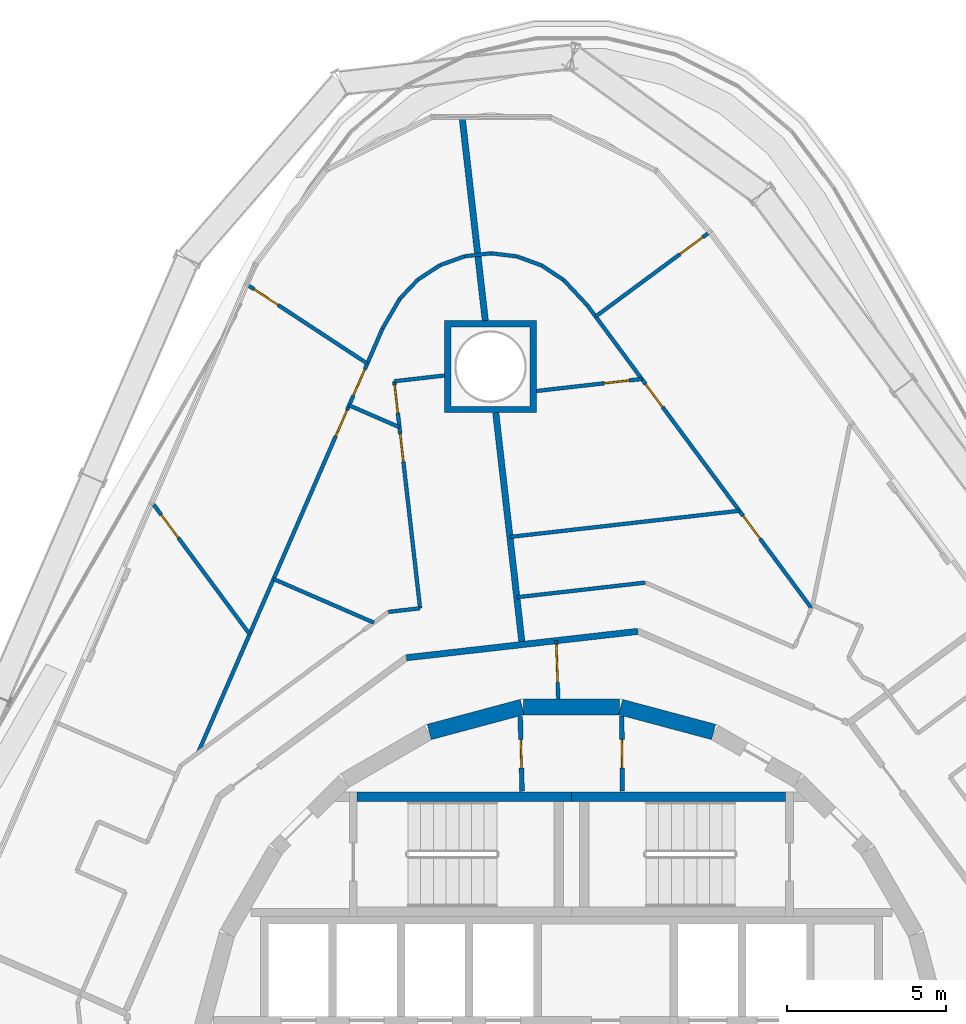
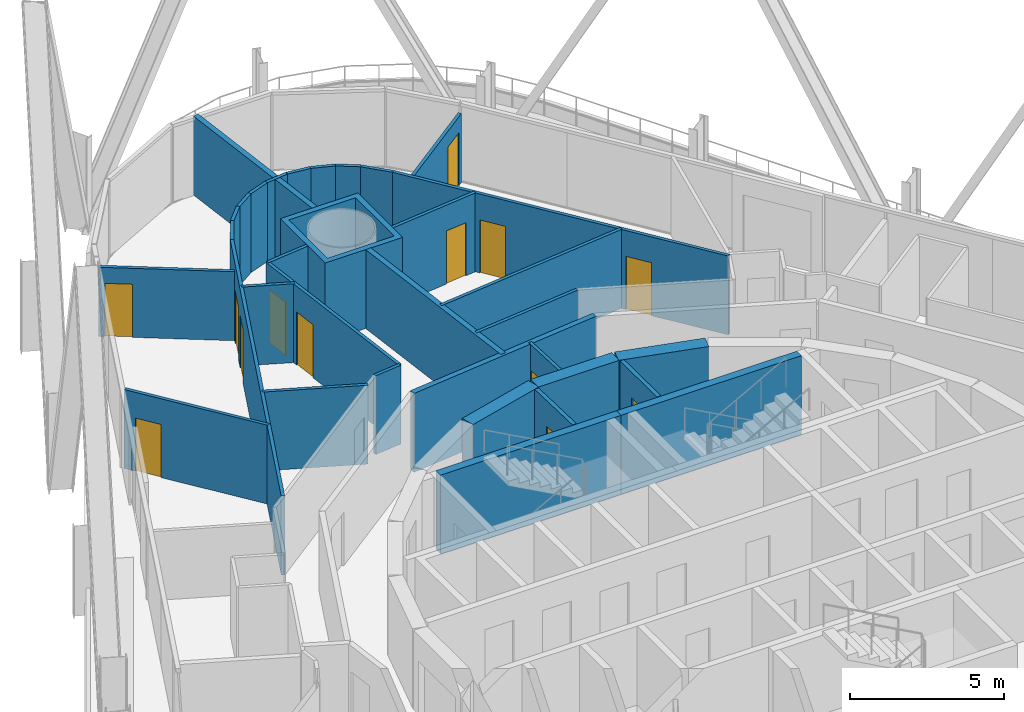
# One storey, part 21 of 32: 34 walls, 13 doors, 13 openings.
"""IFC4 building model written with IfcOpenShell, lengths in metres."""

from ifc_helpers import new_model, si_unit, direction, frame, frame_2d, origin, place, context, subcontext, project, spatial, polyline, rectangle, outline, extrude, material, layer, layer_set, type_object, element, fill, save


model = new_model("IFC4")

# Units and contexts
model_context = context("Model", 3, precision=1e-05, world=origin(), true_north=direction((0.0, 1.0)))
body_context = subcontext(model_context, "Body", "Model", "MODEL_VIEW")
ifc_project = project(units=[si_unit("LENGTHUNIT", "METRE"), si_unit("AREAUNIT", "SQUARE_METRE"), si_unit("VOLUMEUNIT", "CUBIC_METRE"), si_unit("PLANEANGLEUNIT", "RADIAN"), si_unit("MASSUNIT", "GRAM", prefix="KILO")], contexts=[model_context])

# Site, building, storey
site_placement = place(None, origin())
site = spatial("IfcSite", under=ifc_project, at=site_placement, CompositionType="ELEMENT")
building_placement = place(site_placement, origin())
building = spatial("IfcBuilding", under=site, at=building_placement, Name="Spindle Arch Residences", CompositionType="ELEMENT")
storey_placement = place(building_placement, frame((0.0, 0.0, 76.699951171875)))
storey = spatial("IfcBuildingStorey", under=building, at=storey_placement, Name="L17", CompositionType="ELEMENT", Elevation=76.699951171875)

# Walls
ifc_material_1 = material(Name="Concrete C50/60", Category="concrete")
ifc_layer_1 = layer(ifc_material_1, 0.5)
ifc_layer_set_1 = layer_set([ifc_layer_1], Name="Core outline wall 500")
wall_type_1 = type_object("IfcWallType", Name="Core outline wall 500", PredefinedType="SHEAR", material=ifc_layer_set_1)
for number, where, z_axis, x_axis, name in (
    (1, (4.479248046875, 10.858154296875, 0.0), (0.0, 0.0, 1.0), (-0.965948410781, 0.258734743916, 0.0), "Core outline wall 11"),
    (2, (1.516357421875, 11.647216796875, 0.0), (0.0, 0.0, 1.0), (-1.0, 0.0, 0.0), "Core outline wall 12"),
    (3, (-1.5498046875, 11.642822265625, 0.0), (0.0, 0.0, 1.0), (-0.965948410781, -0.258734743916, 0.0), "Core outline wall 13"),
):
    element("IfcWall", number, at=place(storey_placement, frame(where, z_axis=z_axis, x_axis=x_axis)), inside=storey, type_object=wall_type_1, Name=name, PredefinedType="SHEAR", context=body_context, shape_type="SweptSolid", body=[
        extrude(rectangle(XDim=3.03271484375, YDim=0.5, at=frame_2d((1.516357421875, 0.0))), origin(), (0.0, 0.0, 1.0), 3.1201171875),
    ])

# Wall, opening, door
ifc_material_2 = material(Name="Plasterboard on steel studs", Category="steel")
ifc_layer_2 = layer(ifc_material_2, 0.1201171875)
ifc_layer_set_2 = layer_set([ifc_layer_2], Name="Corridor division wall 120")
wall_type_2 = type_object("IfcWallType", Name="Corridor division wall 120", PredefinedType="PARTITIONING", material=ifc_layer_set_2)
wall_1_placement = place(storey_placement, frame((-0.4794921875, 13.73388671875, 0.0), z_axis=(0.0, 0.0, 1.0), x_axis=(0.034805430832, -0.999394107439, 0.0)))
wall_1 = element("IfcWall", 4, at=wall_1_placement, inside=storey, type_object=wall_type_2, Name="Corridor division wall R2A0-W001", PredefinedType="PARTITIONING", context=body_context, shape_type="SweptSolid", body=[
    extrude(rectangle(XDim=1.837890625, YDim=0.1201171875, at=frame_2d((0.9189453125, 0.0))), origin(), (0.0, 0.0, 1.0), 3.1201171875),
])
opening_1_placement = place(wall_1_placement, frame((0.114990234375, 0.0, 0.0)))
opening_1 = element("IfcOpeningElement", 5, at=opening_1_placement, cuts=wall_1, Name="Opening R2A0-CD01", PredefinedType="OPENING", context=body_context, shape_type="SweptSolid", body=[
    extrude(rectangle(XDim=1.199951171875, YDim=2.10009765625, at=frame_2d((0.60009765625, 1.050048828125))), frame((0.0, 0.070068359375, 0.0), z_axis=(0.0, -1.0, 0.0), x_axis=(1.0, 0.0, 0.0)), (0.0, 0.0, 1.0), 0.14013671875),
])
ifc_material_3 = material(Name="Steel, fire-resisting door", Category="steel")
door_type_1 = type_object("IfcDoorType", Name="Corridor division door 1200x2100", OperationType="NOTDEFINED", PredefinedType="DOOR", material=ifc_material_3)
door_1_placement = place(opening_1_placement, origin())
door_1 = element("IfcDoor", 6, at=door_1_placement, inside=storey, type_object=door_type_1, Name="Corridor division door R2A0-CD01", OperationType="DOUBLE_DOOR_SINGLE_SWING", OverallHeight=2.10009765625, OverallWidth=1.199951171875, PredefinedType="DOOR", context=body_context, shape_type="SweptSolid", body=[
    extrude(rectangle(XDim=1.199951171875, YDim=2.10009765625, at=frame_2d((0.60009765625, 1.050048828125))), frame((0.0, 0.02490234375, 0.0), z_axis=(0.0, -1.0, 0.0), x_axis=(1.0, 0.0, 0.0)), (0.0, 0.0, 1.0), 0.050048828125),
])
fill(opening_1, door_1)

# Walls
ifc_material_4 = material(Name="Calcium silicate block, plastered")
ifc_layer_3 = layer(ifc_material_4, 0.199951171875)
ifc_layer_set_3 = layer_set([ifc_layer_3], Name="Corridor wall 200")
wall_type_3 = type_object("IfcWallType", Name="Corridor wall 200", PredefinedType="STANDARD", material=ifc_layer_set_3)
wall_2_placement = place(storey_placement, frame((2.096435546875, 14.027587890625, 0.0), z_axis=(0.0, 0.0, 1.0), x_axis=(-0.993569170114, -0.113226782163, 0.0)))
element("IfcWall", 7, at=wall_2_placement, inside=storey, type_object=wall_type_3, Name="Corridor wall R2A0-W008", PredefinedType="STANDARD", context=body_context, shape_type="SweptSolid", body=[
    extrude(rectangle(XDim=7.341796875, YDim=0.199951171875, at=frame_2d((3.6708984375, 0.0))), origin(), (0.0, 0.0, 1.0), 3.1201171875),
])
ifc_material_5 = material(Name="Plasterboard on steel studs", Category="steel")
ifc_layer_4 = layer(ifc_material_5, 0.1201171875)
ifc_layer_set_4 = layer_set([ifc_layer_4], Name="Flat partition 120")
wall_type_4 = type_object("IfcWallType", Name="Flat partition 120", PredefinedType="PARTITIONING", material=ifc_layer_set_4)
wall_3_placement = place(storey_placement, frame((2.325927734375, 15.563232421875, 0.0), z_axis=(0.0, 0.0, 1.0), x_axis=(-0.993575109804, -0.113174649008, 0.0)))
element("IfcWall", 8, at=wall_3_placement, inside=storey, type_object=wall_type_4, Name="Flat partition R2A0-W053", PredefinedType="PARTITIONING", context=body_context, shape_type="SweptSolid", body=[
    extrude(rectangle(XDim=4.07275390625, YDim=0.1201171875, at=frame_2d((2.036376953125, 0.0))), origin(), (0.0, 0.0, 1.0), 3.1201171875),
])

# Wall, openings, doors
wall_4_placement = place(storey_placement, frame((0.49755859375, 24.3056640625, 0.0), z_axis=(0.0, 0.0, 1.0), x_axis=(0.594826266513, -0.803854285718, 0.0)))
wall_4 = element("IfcWall", 9, at=wall_4_placement, inside=storey, type_object=wall_type_4, Name="Flat partition R2A0-W055", PredefinedType="PARTITIONING", context=body_context, shape_type="SweptSolid", body=[
    extrude(rectangle(XDim=11.874755859375, YDim=0.1201171875, at=frame_2d((5.9375, 0.0))), origin(), (0.0, 0.0, 1.0), 3.1201171875),
])
opening_2_placement = place(wall_4_placement, frame((8.259521484375, 0.0, 0.0)))
opening_2 = element("IfcOpeningElement", 10, at=opening_2_placement, cuts=wall_4, Name="Opening R2A0-ID08", PredefinedType="OPENING", context=body_context, shape_type="SweptSolid", body=[
    extrude(rectangle(XDim=0.89990234375, YDim=2.10009765625, at=frame_2d((0.449951171875, 1.050048828125))), frame((0.0, 0.070068359375, 0.0), z_axis=(0.0, -1.0, 0.0), x_axis=(1.0, 0.0, 0.0)), (0.0, 0.0, 1.0), 0.14013671875),
])
opening_3_placement = place(wall_4_placement, frame((3.093505859375, 0.0, 0.0)))
opening_3 = element("IfcOpeningElement", 11, at=opening_3_placement, cuts=wall_4, Name="Opening R2A0-ID09", PredefinedType="OPENING", context=body_context, shape_type="SweptSolid", body=[
    extrude(rectangle(XDim=0.89990234375, YDim=2.10009765625, at=frame_2d((0.449951171875, 1.050048828125))), frame((0.0, 0.070068359375, 0.0), z_axis=(0.0, -1.0, 0.0), x_axis=(1.0, 0.0, 0.0)), (0.0, 0.0, 1.0), 0.14013671875),
])
ifc_material_6 = material(Name="Timber door set", Category="wood")
door_type_2 = type_object("IfcDoorType", Name="Room door 900x2100", OperationType="NOTDEFINED", PredefinedType="DOOR", material=ifc_material_6)
door_2_placement = place(opening_2_placement, origin())
door_2 = element("IfcDoor", 12, at=door_2_placement, inside=storey, type_object=door_type_2, Name="Room door R2A0-ID08", OperationType="SINGLE_SWING_RIGHT", OverallHeight=2.10009765625, OverallWidth=0.89990234375, PredefinedType="DOOR", context=body_context, shape_type="SweptSolid", body=[
    extrude(rectangle(XDim=0.89990234375, YDim=2.10009765625, at=frame_2d((0.449951171875, 1.050048828125))), frame((0.0, 0.02490234375, 0.0), z_axis=(0.0, -1.0, 0.0), x_axis=(1.0, 0.0, 0.0)), (0.0, 0.0, 1.0), 0.050048828125),
])
fill(opening_2, door_2)
door_3_placement = place(opening_3_placement, origin())
door_3 = element("IfcDoor", 13, at=door_3_placement, inside=storey, type_object=door_type_2, Name="Room door R2A0-ID09", OperationType="SINGLE_SWING_LEFT", OverallHeight=2.10009765625, OverallWidth=0.89990234375, PredefinedType="DOOR", context=body_context, shape_type="SweptSolid", body=[
    extrude(rectangle(XDim=0.89990234375, YDim=2.10009765625, at=frame_2d((0.449951171875, 1.050048828125))), frame((0.0, 0.02490234375, 0.0), z_axis=(0.0, -1.0, 0.0), x_axis=(1.0, 0.0, 0.0)), (0.0, 0.0, 1.0), 0.050048828125),
])
fill(opening_3, door_3)

# Wall
wall_5_placement = place(storey_placement, frame((5.29150390625, 17.826904296875, 0.0), z_axis=(0.0, 0.0, 1.0), x_axis=(-0.993570041735, -0.113219133399, 0.0)))
element("IfcWall", 14, at=wall_5_placement, inside=storey, type_object=wall_type_4, Name="Flat partition R2A0-W057", PredefinedType="PARTITIONING", context=body_context, shape_type="SweptSolid", body=[
    extrude(rectangle(XDim=7.275634765625, YDim=0.1201171875, at=frame_2d((3.6376953125, 0.0))), origin(), (0.0, 0.0, 1.0), 3.1201171875),
])

# Wall, opening, door
wall_6_placement = place(storey_placement, frame((2.21875, 21.9794921875, 0.0), z_axis=(0.0, 0.0, 1.0), x_axis=(-0.99357408397, -0.113183654573, 0.0)))
wall_6 = element("IfcWall", 15, at=wall_6_placement, inside=storey, type_object=wall_type_4, Name="Flat partition R2A0-W058", PredefinedType="PARTITIONING", context=body_context, shape_type="SweptSolid", body=[
    extrude(rectangle(XDim=3.339111328125, YDim=0.1201171875, at=frame_2d((1.66943359375, 0.0))), origin(), (0.0, 0.0, 1.0), 3.1201171875),
])
opening_4_placement = place(wall_6_placement, frame((0.39990234375, 0.0, 0.0)))
opening_4 = element("IfcOpeningElement", 16, at=opening_4_placement, cuts=wall_6, Name="Opening R2A0-BD03", PredefinedType="OPENING", context=body_context, shape_type="SweptSolid", body=[
    extrude(rectangle(XDim=0.800048828125, YDim=2.10009765625, at=frame_2d((0.39990234375, 1.050048828125))), frame((0.0, 0.070068359375, 0.0), z_axis=(0.0, -1.0, 0.0), x_axis=(1.0, 0.0, 0.0)), (0.0, 0.0, 1.0), 0.14013671875),
])
ifc_material_7 = material(Name="Timber door set", Category="wood")
door_type_3 = type_object("IfcDoorType", Name="Bathroom door 800x2100", OperationType="NOTDEFINED", PredefinedType="DOOR", material=ifc_material_7)
door_4_placement = place(opening_4_placement, origin())
door_4 = element("IfcDoor", 17, at=door_4_placement, inside=storey, type_object=door_type_3, Name="Bathroom door R2A0-BD03", OperationType="SINGLE_SWING_RIGHT", OverallHeight=2.10009765625, OverallWidth=0.800048828125, PredefinedType="DOOR", context=body_context, shape_type="SweptSolid", body=[
    extrude(rectangle(XDim=0.800048828125, YDim=2.10009765625, at=frame_2d((0.39990234375, 1.050048828125))), frame((0.0, 0.02490234375, 0.0), z_axis=(0.0, -1.0, 0.0), x_axis=(1.0, 0.0, 0.0)), (0.0, 0.0, 1.0), 0.050048828125),
])
fill(opening_4, door_4)

# Walls
for number, where, z_axis, x_axis, name in (
    (18, (-3.36181640625, 25.846435546875, 0.0), (0.0, 0.0, 1.0), (0.993548802859, 0.113405362912, 0.0), "Flat partition R2A0-W059"),
    (19, (-2.538330078125, 25.9404296875, 0.0), (0.0, 0.0, 1.0), (0.992894945409, -0.118994232556, 0.0), "Flat partition R2A0-W060"),
    (20, (-1.71533203125, 25.841796875, 0.0), (0.0, 0.0, 1.0), (0.938644465852, -0.344886309856, 0.0), "Flat partition R2A0-W061"),
    (21, (-0.937255859375, 25.555908203125, 0.0), (0.0, 0.0, 1.0), (0.833858440069, -0.551978352769, 0.0), "Flat partition R2A0-W062"),
):
    element("IfcWall", number, at=place(storey_placement, frame(where, z_axis=z_axis, x_axis=x_axis)), inside=storey, type_object=wall_type_4, Name=name, PredefinedType="PARTITIONING", context=body_context, shape_type="SweptSolid", body=[
        extrude(rectangle(XDim=0.828857421875, YDim=0.1201171875, at=frame_2d((0.41455078125, 0.0))), origin(), (0.0, 0.0, 1.0), 3.1201171875),
    ])
wall_7_placement = place(storey_placement, frame((-0.24609375, 25.098388671875, 0.0), z_axis=(0.0, 0.0, 1.0), x_axis=(0.684172712488, -0.729320025426, 0.0)))
element("IfcWall", 22, at=wall_7_placement, inside=storey, type_object=wall_type_4, Name="Flat partition R2A0-W063", PredefinedType="PARTITIONING", context=body_context, shape_type="SweptSolid", body=[
    extrude(rectangle(XDim=1.0869140625, YDim=0.1201171875, at=frame_2d((0.54345703125, 0.0))), origin(), (0.0, 0.0, 1.0), 3.1201171875),
])
wall_8_placement = place(storey_placement, frame((-3.998779296875, 22.089111328125, 0.0), z_axis=(0.0, 0.0, 1.0), x_axis=(-0.993550908639, -0.113386912568, 0.0)))
element("IfcWall", 23, at=wall_8_placement, inside=storey, type_object=wall_type_4, Name="Flat partition R2A0-W064", PredefinedType="PARTITIONING", context=body_context, shape_type="SweptSolid", body=[
    extrude(rectangle(XDim=1.595458984375, YDim=0.1201171875, at=frame_2d((0.7978515625, 0.0))), origin(), (0.0, 0.0, 1.0), 3.1201171875),
])

# Wall, openings, doors
wall_9_placement = place(storey_placement, frame((-5.583984375, 21.908203125, 0.0), z_axis=(0.0, 0.0, 1.0), x_axis=(0.113192725021, -0.993573050662, 0.0)))
wall_9 = element("IfcWall", 24, at=wall_9_placement, inside=storey, type_object=wall_type_4, Name="Flat partition R2A0-W065", PredefinedType="PARTITIONING", context=body_context, shape_type="SweptSolid", body=[
    extrude(rectangle(XDim=7.19970703125, YDim=0.1201171875, at=frame_2d((3.599853515625, 0.0))), origin(), (0.0, 0.0, 1.0), 3.1201171875),
])
opening_5_placement = place(wall_9_placement, frame((0.1201171875, 0.0, 0.0)))
opening_5 = element("IfcOpeningElement", 25, at=opening_5_placement, cuts=wall_9, Name="Opening R2A0-ID11", PredefinedType="OPENING", context=body_context, shape_type="SweptSolid", body=[
    extrude(rectangle(XDim=0.89990234375, YDim=2.10009765625, at=frame_2d((0.449951171875, 1.050048828125))), frame((0.0, 0.070068359375, 0.0), z_axis=(0.0, -1.0, 0.0), x_axis=(1.0, 0.0, 0.0)), (0.0, 0.0, 1.0), 0.14013671875),
])
opening_6_placement = place(wall_9_placement, frame((1.658203125, 0.0, 0.0)))
opening_6 = element("IfcOpeningElement", 26, at=opening_6_placement, cuts=wall_9, Name="Opening R2A0-ID12", PredefinedType="OPENING", context=body_context, shape_type="SweptSolid", body=[
    extrude(rectangle(XDim=0.89990234375, YDim=2.10009765625, at=frame_2d((0.449951171875, 1.050048828125))), frame((0.0, 0.070068359375, 0.0), z_axis=(0.0, -1.0, 0.0), x_axis=(1.0, 0.0, 0.0)), (0.0, 0.0, 1.0), 0.14013671875),
])
door_5_placement = place(opening_5_placement, origin())
door_5 = element("IfcDoor", 27, at=door_5_placement, inside=storey, type_object=door_type_2, Name="Room door R2A0-ID11", OperationType="SINGLE_SWING_RIGHT", OverallHeight=2.10009765625, OverallWidth=0.89990234375, PredefinedType="DOOR", context=body_context, shape_type="SweptSolid", body=[
    extrude(rectangle(XDim=0.89990234375, YDim=2.10009765625, at=frame_2d((0.449951171875, 1.050048828125))), frame((0.0, 0.02490234375, 0.0), z_axis=(0.0, -1.0, 0.0), x_axis=(1.0, 0.0, 0.0)), (0.0, 0.0, 1.0), 0.050048828125),
])
fill(opening_5, door_5)
door_6_placement = place(opening_6_placement, origin())
door_6 = element("IfcDoor", 28, at=door_6_placement, inside=storey, type_object=door_type_2, Name="Room door R2A0-ID12", OperationType="SINGLE_SWING_LEFT", OverallHeight=2.10009765625, OverallWidth=0.89990234375, PredefinedType="DOOR", context=body_context, shape_type="SweptSolid", body=[
    extrude(rectangle(XDim=0.89990234375, YDim=2.10009765625, at=frame_2d((0.449951171875, 1.050048828125))), frame((0.0, 0.02490234375, 0.0), z_axis=(0.0, -1.0, 0.0), x_axis=(1.0, 0.0, 0.0)), (0.0, 0.0, 1.0), 0.050048828125),
])
fill(opening_6, door_6)

# Walls
wall_10_placement = place(storey_placement, frame((-4.76904296875, 14.7548828125, 0.0), z_axis=(0.0, 0.0, 1.0), x_axis=(-0.993568649539, -0.113231350131, 0.0)))
element("IfcWall", 29, at=wall_10_placement, inside=storey, type_object=wall_type_4, Name="Flat partition R2A0-W066", PredefinedType="PARTITIONING", context=body_context, shape_type="SweptSolid", body=[
    extrude(rectangle(XDim=1.004638671875, YDim=0.1201171875, at=frame_2d((0.50244140625, 0.0))), origin(), (0.0, 0.0, 1.0), 3.1201171875),
])
wall_11_placement = place(storey_placement, frame((-3.36181640625, 25.846435546875, 0.0), z_axis=(0.0, 0.0, 1.0), x_axis=(-0.940718391217, -0.33918860303, 0.0)))
element("IfcWall", 30, at=wall_11_placement, inside=storey, type_object=wall_type_4, Name="Flat partition R2A0-W073", PredefinedType="PARTITIONING", context=body_context, shape_type="SweptSolid", body=[
    extrude(rectangle(XDim=0.8291015625, YDim=0.1201171875, at=frame_2d((0.41455078125, 0.0))), origin(), (0.0, 0.0, 1.0), 3.1201171875),
])
wall_12_placement = place(storey_placement, frame((-4.141845703125, 25.565185546875, 0.0), z_axis=(0.0, 0.0, 1.0), x_axis=(-0.837047461437, -0.547130283664, 0.0)))
element("IfcWall", 31, at=wall_12_placement, inside=storey, type_object=wall_type_4, Name="Flat partition R2A0-W074", PredefinedType="PARTITIONING", context=body_context, shape_type="SweptSolid", body=[
    extrude(rectangle(XDim=0.82861328125, YDim=0.1201171875, at=frame_2d((0.414306640625, 0.0))), origin(), (0.0, 0.0, 1.0), 3.1201171875),
])
wall_13_placement = place(storey_placement, frame((-4.83544921875, 25.11181640625, 0.0), z_axis=(0.0, 0.0, 1.0), x_axis=(-0.688463067416, -0.72527140079, 0.0)))
element("IfcWall", 32, at=wall_13_placement, inside=storey, type_object=wall_type_4, Name="Flat partition R2A0-W075", PredefinedType="PARTITIONING", context=body_context, shape_type="SweptSolid", body=[
    extrude(rectangle(XDim=0.8291015625, YDim=0.1201171875, at=frame_2d((0.41455078125, 0.0))), origin(), (0.0, 0.0, 1.0), 3.1201171875),
])
wall_14_placement = place(storey_placement, frame((-5.40625, 24.510498046875, 0.0), z_axis=(0.0, 0.0, 1.0), x_axis=(-0.502487709822, -0.864584351858, 0.0)))
element("IfcWall", 33, at=wall_14_placement, inside=storey, type_object=wall_type_4, Name="Flat partition R2A0-W076", PredefinedType="PARTITIONING", context=body_context, shape_type="SweptSolid", body=[
    extrude(rectangle(XDim=1.0869140625, YDim=0.1201171875, at=frame_2d((0.54345703125, 0.0))), origin(), (0.0, 0.0, 1.0), 3.1201171875),
])

# Wall, openings, doors
wall_15_placement = place(storey_placement, frame((-5.952392578125, 23.57080078125, 0.0), z_axis=(0.0, 0.0, 1.0), x_axis=(-0.398745097158, -0.917061801348, 0.0)))
wall_15 = element("IfcWall", 34, at=wall_15_placement, inside=storey, type_object=wall_type_4, Name="Flat partition R2A0-W077", PredefinedType="PARTITIONING", context=body_context, shape_type="SweptSolid", body=[
    extrude(rectangle(XDim=14.576416015625, YDim=0.1201171875, at=frame_2d((7.2880859375, 0.0))), origin(), (0.0, 0.0, 1.0), 3.1201171875),
])
opening_7_placement = place(wall_15_placement, frame((2.800537109375, 0.0, 0.0)))
opening_7 = element("IfcOpeningElement", 35, at=opening_7_placement, cuts=wall_15, Name="Opening R2A0-ID14", PredefinedType="OPENING", context=body_context, shape_type="SweptSolid", body=[
    extrude(rectangle(XDim=0.89990234375, YDim=2.10009765625, at=frame_2d((0.449951171875, 1.050048828125))), frame((0.0, 0.070068359375, 0.0), z_axis=(0.0, -1.0, 0.0), x_axis=(1.0, 0.0, 0.0)), (0.0, 0.0, 1.0), 0.14013671875),
])
opening_8_placement = place(wall_15_placement, frame((1.40478515625, 0.0, 0.0)))
opening_8 = element("IfcOpeningElement", 36, at=opening_8_placement, cuts=wall_15, Name="Opening R2A0-ID17", PredefinedType="OPENING", context=body_context, shape_type="SweptSolid", body=[
    extrude(rectangle(XDim=0.89990234375, YDim=2.10009765625, at=frame_2d((0.449951171875, 1.050048828125))), frame((0.0, 0.070068359375, 0.0), z_axis=(0.0, -1.0, 0.0), x_axis=(1.0, 0.0, 0.0)), (0.0, 0.0, 1.0), 0.14013671875),
])
door_7_placement = place(opening_7_placement, origin())
door_7 = element("IfcDoor", 37, at=door_7_placement, inside=storey, type_object=door_type_2, Name="Room door R2A0-ID14", OperationType="SINGLE_SWING_LEFT", OverallHeight=2.10009765625, OverallWidth=0.89990234375, PredefinedType="DOOR", context=body_context, shape_type="SweptSolid", body=[
    extrude(rectangle(XDim=0.89990234375, YDim=2.10009765625, at=frame_2d((0.449951171875, 1.050048828125))), frame((0.0, 0.02490234375, 0.0), z_axis=(0.0, -1.0, 0.0), x_axis=(1.0, 0.0, 0.0)), (0.0, 0.0, 1.0), 0.050048828125),
])
fill(opening_7, door_7)
door_8_placement = place(opening_8_placement, origin())
door_8 = element("IfcDoor", 38, at=door_8_placement, inside=storey, type_object=door_type_2, Name="Room door R2A0-ID17", OperationType="SINGLE_SWING_RIGHT", OverallHeight=2.10009765625, OverallWidth=0.89990234375, PredefinedType="DOOR", context=body_context, shape_type="SweptSolid", body=[
    extrude(rectangle(XDim=0.89990234375, YDim=2.10009765625, at=frame_2d((0.449951171875, 1.050048828125))), frame((0.0, 0.02490234375, 0.0), z_axis=(0.0, -1.0, 0.0), x_axis=(1.0, 0.0, 0.0)), (0.0, 0.0, 1.0), 0.050048828125),
])
fill(opening_8, door_8)

# Walls
wall_16_placement = place(storey_placement, frame((-7.00537109375, 21.149169921875, 0.0), z_axis=(0.0, 0.0, 1.0), x_axis=(0.917081274718, -0.398700307953, 0.0)))
element("IfcWall", 39, at=wall_16_placement, inside=storey, type_object=wall_type_4, Name="Flat partition R2A0-W078", PredefinedType="PARTITIONING", context=body_context, shape_type="SweptSolid", body=[
    extrude(rectangle(XDim=1.72998046875, YDim=0.1201171875, at=frame_2d((0.864990234375, 0.0))), origin(), (0.0, 0.0, 1.0), 3.1201171875),
])
wall_17_placement = place(storey_placement, frame((-9.385009765625, 15.67626953125, 0.0), z_axis=(0.0, 0.0, 1.0), x_axis=(0.917068929701, -0.398728702475, 0.0)))
element("IfcWall", 40, at=wall_17_placement, inside=storey, type_object=wall_type_4, Name="Flat partition R2A0-W080", PredefinedType="PARTITIONING", context=body_context, shape_type="SweptSolid", body=[
    extrude(rectangle(XDim=3.4453125, YDim=0.1201171875, at=frame_2d((1.72265625, 0.0))), origin(), (0.0, 0.0, 1.0), 3.1201171875),
])

# Wall, opening, door
wall_18_placement = place(storey_placement, frame((-13.1630859375, 18.021728515625, 0.0), z_axis=(0.0, 0.0, 1.0), x_axis=(0.594797671626, -0.803875444226, 0.0)))
wall_18 = element("IfcWall", 41, at=wall_18_placement, inside=storey, type_object=wall_type_4, Name="Flat partition R2A0-W081", PredefinedType="PARTITIONING", context=body_context, shape_type="SweptSolid", body=[
    extrude(rectangle(XDim=5.08056640625, YDim=0.1201171875, at=frame_2d((2.540283203125, 0.0))), origin(), (0.0, 0.0, 1.0), 3.1201171875),
])
opening_9_placement = place(wall_18_placement, frame((0.39990234375, 0.0, 0.0)))
opening_9 = element("IfcOpeningElement", 42, at=opening_9_placement, cuts=wall_18, Name="Opening R2A0-ID16", PredefinedType="OPENING", context=body_context, shape_type="SweptSolid", body=[
    extrude(rectangle(XDim=0.89990234375, YDim=2.10009765625, at=frame_2d((0.449951171875, 1.050048828125))), frame((0.0, 0.070068359375, 0.0), z_axis=(0.0, -1.0, 0.0), x_axis=(1.0, 0.0, 0.0)), (0.0, 0.0, 1.0), 0.14013671875),
])
door_9_placement = place(opening_9_placement, origin())
door_9 = element("IfcDoor", 43, at=door_9_placement, inside=storey, type_object=door_type_2, Name="Room door R2A0-ID16", OperationType="SINGLE_SWING_RIGHT", OverallHeight=2.10009765625, OverallWidth=0.89990234375, PredefinedType="DOOR", context=body_context, shape_type="SweptSolid", body=[
    extrude(rectangle(XDim=0.89990234375, YDim=2.10009765625, at=frame_2d((0.449951171875, 1.050048828125))), frame((0.0, 0.02490234375, 0.0), z_axis=(0.0, -1.0, 0.0), x_axis=(1.0, 0.0, 0.0)), (0.0, 0.0, 1.0), 0.050048828125),
])
fill(opening_9, door_9)

ifc_material_8 = material(Name="Plasterboard on steel studs", Category="steel")
ifc_layer_5 = layer(ifc_material_8, 0.1201171875)
ifc_layer_set_5 = layer_set([ifc_layer_5], Name="Flat partition 120 under beam 2730")
wall_type_5 = type_object("IfcWallType", Name="Flat partition 120 under beam 2730", PredefinedType="PARTITIONING", material=ifc_layer_set_5)
wall_19_placement = place(storey_placement, frame((4.29931640625, 26.56494140625, 0.0), z_axis=(0.0, 0.0, 1.0), x_axis=(-0.803851981262, -0.594829380764, 0.0)))
wall_19 = element("IfcWall", 44, at=wall_19_placement, inside=storey, type_object=wall_type_5, Name="Flat partition R2A0-W056", PredefinedType="PARTITIONING", context=body_context, shape_type="SweptSolid", body=[
    extrude(rectangle(XDim=4.39990234375, YDim=0.1201171875, at=frame_2d((2.199951171875, 0.0))), origin(), (0.0, 0.0, 1.0), 2.72998046875),
])
opening_10_placement = place(wall_19_placement, frame((0.199951171875, 0.0, 0.0)))
opening_10 = element("IfcOpeningElement", 45, at=opening_10_placement, cuts=wall_19, Name="Opening R2A0-ID10", PredefinedType="OPENING", context=body_context, shape_type="SweptSolid", body=[
    extrude(rectangle(XDim=0.89990234375, YDim=2.10009765625, at=frame_2d((0.449951171875, 1.050048828125))), frame((0.0, 0.070068359375, 0.0), z_axis=(0.0, -1.0, 0.0), x_axis=(1.0, 0.0, 0.0)), (0.0, 0.0, 1.0), 0.14013671875),
])
door_10_placement = place(opening_10_placement, origin())
door_10 = element("IfcDoor", 46, at=door_10_placement, inside=storey, type_object=door_type_2, Name="Room door R2A0-ID10", OperationType="SINGLE_SWING_RIGHT", OverallHeight=2.10009765625, OverallWidth=0.89990234375, PredefinedType="DOOR", context=body_context, shape_type="SweptSolid", body=[
    extrude(rectangle(XDim=0.89990234375, YDim=2.10009765625, at=frame_2d((0.449951171875, 1.050048828125))), frame((0.0, 0.02490234375, 0.0), z_axis=(0.0, -1.0, 0.0), x_axis=(1.0, 0.0, 0.0)), (0.0, 0.0, 1.0), 0.050048828125),
])
fill(opening_10, door_10)

wall_20_placement = place(storey_placement, frame((-10.1650390625, 24.9169921875, 0.0), z_axis=(0.0, 0.0, 1.0), x_axis=(0.835849562932, -0.548958566876, 0.0)))
wall_20 = element("IfcWall", 47, at=wall_20_placement, inside=storey, type_object=wall_type_5, Name="Flat partition R2A0-W079", PredefinedType="PARTITIONING", context=body_context, shape_type="SweptSolid", body=[
    extrude(rectangle(XDim=4.465087890625, YDim=0.1201171875, at=frame_2d((2.232421875, 0.0))), origin(), (0.0, 0.0, 1.0), 2.72998046875),
])
opening_11_placement = place(wall_20_placement, frame((0.199951171875, 0.0, 0.0)))
opening_11 = element("IfcOpeningElement", 48, at=opening_11_placement, cuts=wall_20, Name="Opening R2A0-ID15", PredefinedType="OPENING", context=body_context, shape_type="SweptSolid", body=[
    extrude(rectangle(XDim=0.89990234375, YDim=2.10009765625, at=frame_2d((0.449951171875, 1.050048828125))), frame((0.0, 0.070068359375, 0.0), z_axis=(0.0, -1.0, 0.0), x_axis=(1.0, 0.0, 0.0)), (0.0, 0.0, 1.0), 0.14013671875),
])
door_11_placement = place(opening_11_placement, origin())
door_11 = element("IfcDoor", 49, at=door_11_placement, inside=storey, type_object=door_type_2, Name="Room door R2A0-ID15", OperationType="SINGLE_SWING_LEFT", OverallHeight=2.10009765625, OverallWidth=0.89990234375, PredefinedType="DOOR", context=body_context, shape_type="SweptSolid", body=[
    extrude(rectangle(XDim=0.89990234375, YDim=2.10009765625, at=frame_2d((0.449951171875, 1.050048828125))), frame((0.0, 0.02490234375, 0.0), z_axis=(0.0, -1.0, 0.0), x_axis=(1.0, 0.0, 0.0)), (0.0, 0.0, 1.0), 0.050048828125),
])
fill(opening_11, door_11)

# Walls
ifc_material_9 = material(Name="Calcium silicate block, plastered")
ifc_layer_6 = layer(ifc_material_9, 0.199951171875)
ifc_layer_set_6 = layer_set([ifc_layer_6], Name="Flat party wall 200")
wall_type_6 = type_object("IfcWallType", Name="Flat party wall 200", PredefinedType="STANDARD", material=ifc_layer_set_6)
wall_21_placement = place(storey_placement, frame((-2.384521484375, 20.92041015625, 0.0), z_axis=(0.0, 0.0, 1.0), x_axis=(0.113177776247, -0.993574753586, 0.0)))
element("IfcWall", 50, at=wall_21_placement, inside=storey, type_object=wall_type_6, Name="Flat party wall R2A0-W020", PredefinedType="STANDARD", context=body_context, shape_type="SweptSolid", body=[
    extrude(rectangle(XDim=7.35595703125, YDim=0.199951171875, at=frame_2d((3.677978515625, 0.0))), origin(), (0.0, 0.0, 1.0), 3.1201171875),
])
wall_22_placement = place(storey_placement, frame((-3.4482421875, 30.26513671875, 0.0), z_axis=(0.0, 0.0, 1.0), x_axis=(0.113178237968, -0.993574700992, 0.0)))
element("IfcWall", 51, at=wall_22_placement, inside=storey, type_object=wall_type_6, Name="Flat party wall R2A0-W021", PredefinedType="STANDARD", context=body_context, shape_type="SweptSolid", body=[
    extrude(rectangle(XDim=6.486572265625, YDim=0.199951171875, at=frame_2d((3.2431640625, 0.0))), origin(), (0.0, 0.0, 1.0), 3.1201171875),
])
ifc_material_10 = material(Name="Calcium silicate block, plastered")
ifc_layer_7 = layer(ifc_material_10, 0.199951171875)
ifc_layer_set_7 = layer_set([ifc_layer_7], Name="Mega-column casing wall 200")
wall_type_7 = type_object("IfcWallType", Name="Mega-column casing wall 200", PredefinedType="STANDARD", material=ifc_layer_set_7)
wall_23_placement = place(storey_placement, origin())
element("IfcWall", 52, at=wall_23_placement, inside=storey, type_object=wall_type_7, Name="Mega-column casing wall R2A0-WC01", PredefinedType="STANDARD", context=body_context, shape_type="SweptSolid", body=[
    extrude(outline(polyline([(-1.098876953125, 23.8203125), (-1.098876953125, 20.92041015625), (-3.998779296875, 20.92041015625), (-3.998779296875, 23.8203125), (-1.098876953125, 23.8203125)]), holes=[polyline([(-3.798828125, 21.120361328125), (-1.298828125, 21.120361328125), (-1.298828125, 23.620361328125), (-3.798828125, 23.620361328125), (-3.798828125, 21.120361328125)])]), origin(), (0.0, 0.0, 1.0), 3.1201171875),
])

# Wall, opening, door
ifc_material_11 = material(Name="Concrete C25/30", Category="concrete")
ifc_layer_8 = layer(ifc_material_11, 0.14990234375)
ifc_layer_set_8 = layer_set([ifc_layer_8], Name="Service room partition 150")
wall_type_8 = type_object("IfcWallType", Name="Service room partition 150", PredefinedType="PARTITIONING", material=ifc_layer_set_8)
wall_24_placement = place(storey_placement, frame((1.585693359375, 11.3544921875, 0.0), z_axis=(0.0, 0.0, 1.0), x_axis=(0.007227482881, -0.999973881405, 0.0)))
wall_24 = element("IfcWall", 53, at=wall_24_placement, inside=storey, type_object=wall_type_8, Name="Core service room partition", PredefinedType="PARTITIONING", context=body_context, shape_type="SweptSolid", body=[
    extrude(rectangle(XDim=2.364501953125, YDim=0.14990234375, at=frame_2d((1.18212890625, 0.0))), origin(), (0.0, 0.0, 1.0), 3.1201171875),
])
opening_12_placement = place(wall_24_placement, frame((0.732177734375, 0.0, 0.0)))
opening_12 = element("IfcOpeningElement", 54, at=opening_12_placement, cuts=wall_24, Name="Opening R2A0-WD07", PredefinedType="OPENING", context=body_context, shape_type="SweptSolid", body=[
    extrude(rectangle(XDim=0.89990234375, YDim=2.10009765625, at=frame_2d((0.449951171875, 1.050048828125))), frame((0.0, 0.0849609375, 0.0), z_axis=(0.0, -1.0, 0.0), x_axis=(1.0, 0.0, 0.0)), (0.0, 0.0, 1.0), 0.169921875),
])
ifc_material_12 = material(Name="Steel, fire-resisting door", Category="steel")
door_type_4 = type_object("IfcDoorType", Name="Service room door 900x2100", OperationType="SINGLE_SWING_LEFT", PredefinedType="DOOR", material=ifc_material_12)
door_12_placement = place(opening_12_placement, origin())
door_12 = element("IfcDoor", 55, at=door_12_placement, inside=storey, type_object=door_type_4, Name="Service room door R2A0-WD07", OperationType="SINGLE_SWING_RIGHT", OverallHeight=2.10009765625, OverallWidth=0.89990234375, PredefinedType="DOOR", context=body_context, shape_type="SweptSolid", body=[
    extrude(rectangle(XDim=0.89990234375, YDim=2.10009765625, at=frame_2d((0.449951171875, 1.050048828125))), frame((0.0, 0.02490234375, 0.0), z_axis=(0.0, -1.0, 0.0), x_axis=(1.0, 0.0, 0.0)), (0.0, 0.0, 1.0), 0.050048828125),
])
fill(opening_12, door_12)

wall_25_placement = place(storey_placement, frame((-1.555419921875, 8.989990234375, 0.0), z_axis=(0.0, 0.0, 1.0), x_axis=(-0.024125549686, 0.999708936567, 0.0)))
wall_25 = element("IfcWall", 56, at=wall_25_placement, inside=storey, type_object=wall_type_8, Name="Core service room partition", PredefinedType="PARTITIONING", context=body_context, shape_type="SweptSolid", body=[
    extrude(rectangle(XDim=2.35791015625, YDim=0.14990234375, at=frame_2d((1.178955078125, 0.0))), origin(), (0.0, 0.0, 1.0), 3.1201171875),
])
opening_13_placement = place(wall_25_placement, frame((0.72900390625, 0.0, 0.0)))
opening_13 = element("IfcOpeningElement", 57, at=opening_13_placement, cuts=wall_25, Name="Opening R2A0-WD08", PredefinedType="OPENING", context=body_context, shape_type="SweptSolid", body=[
    extrude(rectangle(XDim=0.89990234375, YDim=2.10009765625, at=frame_2d((0.449951171875, 1.050048828125))), frame((0.0, 0.0849609375, 0.0), z_axis=(0.0, -1.0, 0.0), x_axis=(1.0, 0.0, 0.0)), (0.0, 0.0, 1.0), 0.169921875),
])
door_13_placement = place(opening_13_placement, origin())
door_13 = element("IfcDoor", 58, at=door_13_placement, inside=storey, type_object=door_type_4, Name="Service room door R2A0-WD08", OperationType="SINGLE_SWING_LEFT", OverallHeight=2.10009765625, OverallWidth=0.89990234375, PredefinedType="DOOR", context=body_context, shape_type="SweptSolid", body=[
    extrude(rectangle(XDim=0.89990234375, YDim=2.10009765625, at=frame_2d((0.449951171875, 1.050048828125))), frame((0.0, 0.02490234375, 0.0), z_axis=(0.0, -1.0, 0.0), x_axis=(1.0, 0.0, 0.0)), (0.0, 0.0, 1.0), 0.050048828125),
])
fill(opening_13, door_13)

# Walls
ifc_material_13 = material(Name="Concrete C50/60", Category="concrete")
ifc_layer_9 = layer(ifc_material_13, 0.300048828125)
ifc_layer_set_9 = layer_set([ifc_layer_9], Name="Stair enclosure wall 300")
wall_type_9 = type_object("IfcWallType", Name="Stair enclosure wall 300", PredefinedType="SHEAR", material=ifc_layer_set_9)
for number, where, z_axis, x_axis, name in (
    (59, (0.0, 8.820068359375, 0.0), (0.0, 0.0, 1.0), (1.0, 0.0, 0.0), "Stair ST-1 enclosure wall N"),
    (60, (-6.75, 8.820068359375, 0.0), (0.0, 0.0, 1.0), (1.0, 0.0, 0.0), "Stair ST-2 enclosure wall N"),
):
    element("IfcWall", number, at=place(storey_placement, frame(where, z_axis=z_axis, x_axis=x_axis)), inside=storey, type_object=wall_type_9, Name=name, PredefinedType="SHEAR", context=body_context, shape_type="SweptSolid", body=[
        extrude(rectangle(XDim=6.75, YDim=0.300048828125, at=frame_2d((3.375, 0.0))), origin(), (0.0, 0.0, 1.0), 3.1201171875),
    ])

save(model, "model.ifc")
